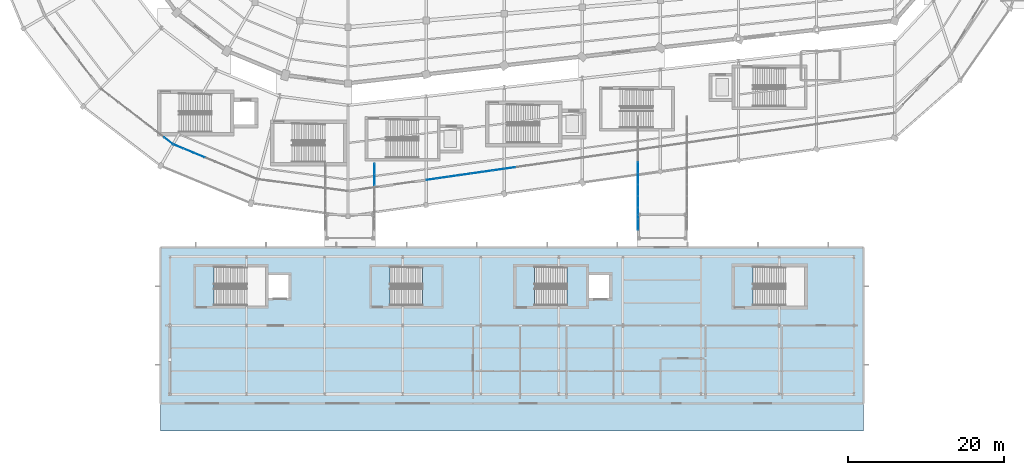
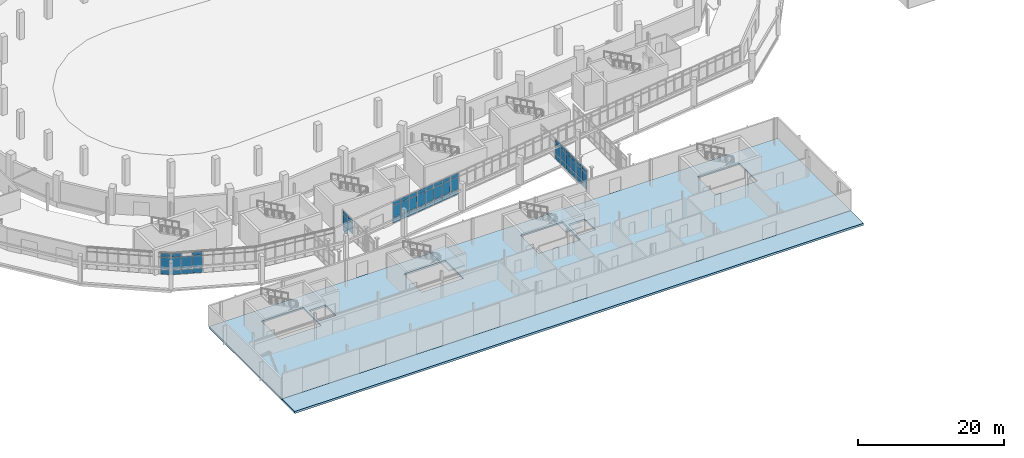
# One storey, part 81 of 122: 58 plates, 4 slabs, 8 elements without a shape of their own.
"""IFC4 building model written with IfcOpenShell, lengths in metres."""

from ifc_helpers import new_model, si_unit, direction, frame, origin, origin_2d, place, context, subcontext, project, spatial, polyline, rectangle, outline, extrude, material, layer, layer_set, type_object, element, aggregate, save


model = new_model("IFC4")

# Units and contexts
model_context = context("Model", 3, precision=1e-05, world=origin(), true_north=direction((0.0, 1.0)))
body_context = subcontext(model_context, "Body", "Model", "MODEL_VIEW")
ifc_project = project(units=[si_unit("LENGTHUNIT", "METRE"), si_unit("AREAUNIT", "SQUARE_METRE"), si_unit("VOLUMEUNIT", "CUBIC_METRE"), si_unit("PLANEANGLEUNIT", "RADIAN"), si_unit("MASSUNIT", "GRAM", prefix="KILO")], contexts=[model_context])

# Site, building, storey
site_placement = place(None, origin())
site = spatial("IfcSite", under=ifc_project, at=site_placement, CompositionType="ELEMENT")
building_placement = place(site_placement, origin())
building = spatial("IfcBuilding", under=site, at=building_placement, Name="Sohan Crest Arena", CompositionType="ELEMENT")
storey_placement = place(building_placement, origin())
storey = spatial("IfcBuildingStorey", under=building, at=storey_placement, Name="L00", CompositionType="ELEMENT", Elevation=0.0)

# Curtain wall, plates
ifc_material_1 = material(Name="Thermally broken anodised aluminium", Category="aluminium")
ifc_layer_1 = layer(ifc_material_1, 0.179931640625, Name="Thermally broken anodised aluminium")
ifc_layer_set_1 = layer_set([ifc_layer_1], Name="Thermally broken anodised aluminium")
curtain_wall_type_1 = type_object("IfcCurtainWallType", Name="ARC-CW01", PredefinedType="NOTDEFINED", material=ifc_layer_set_1)
curtain_wall_1_placement = place(storey_placement, origin())
curtain_wall_1 = element("IfcCurtainWall", 1, at=curtain_wall_1_placement, inside=storey, type_object=curtain_wall_type_1, Name="Unitised curtain wall CW-005", PredefinedType="NOTDEFINED")
ifc_material_2 = material(Name="Low-E double-glazed insulated glass", Category="glass")
ifc_layer_2 = layer(ifc_material_2, 0.028076171875, Name="Low-E double-glazed insulated glass")
ifc_layer_set_2 = layer_set([ifc_layer_2], Name="Low-E double-glazed insulated glass")
plate_type = type_object("IfcPlateType", Name="ARC-CNP01", PredefinedType="CURTAIN_PANEL", material=ifc_layer_set_2)
plate_1_placement = place(storey_placement, frame((75.00830078125, 39.65625, 0.06005859375), z_axis=(0.0, 0.0, 1.0), x_axis=(0.79332277167, -0.608801264741, 0.0)))
plate_1 = element("IfcPlate", 2, at=plate_1_placement, type_object=plate_type, Name="CW-005 panel 8.1", PredefinedType="CURTAIN_PANEL", context=body_context, shape_type="SweptSolid", body=[
    extrude(rectangle(XDim=1.371826171875, YDim=0.028076171875, at=origin_2d()), origin(), (0.0, 0.0, 1.0), 0.81005859375),
])
plate_2_placement = place(storey_placement, frame((75.00830078125, 39.65625, 0.929931640625), z_axis=(0.0, 0.0, 1.0), x_axis=(0.79332277167, -0.608801264741, 0.0)))
plate_2 = element("IfcPlate", 3, at=plate_2_placement, type_object=plate_type, Name="CW-005 panel 8.2", PredefinedType="CURTAIN_PANEL", context=body_context, shape_type="SweptSolid", body=[
    extrude(rectangle(XDim=1.371826171875, YDim=0.028076171875, at=origin_2d()), origin(), (0.0, 0.0, 1.0), 2.02001953125),
])
plate_3_placement = place(storey_placement, frame((75.00830078125, 39.65625, 3.009765625), z_axis=(0.0, 0.0, 1.0), x_axis=(0.79332277167, -0.608801264741, 0.0)))
plate_3 = element("IfcPlate", 4, at=plate_3_placement, type_object=plate_type, Name="CW-005 panel 8.3", PredefinedType="CURTAIN_PANEL", context=body_context, shape_type="SweptSolid", body=[
    extrude(rectangle(XDim=1.371826171875, YDim=0.028076171875, at=origin_2d()), origin(), (0.0, 0.0, 1.0), 0.610107421875),
])
aggregate(curtain_wall_1, [plate_1, plate_2, plate_3])

curtain_wall_2_placement = place(storey_placement, origin())
curtain_wall_2 = element("IfcCurtainWall", 5, at=curtain_wall_2_placement, inside=storey, type_object=curtain_wall_type_1, Name="Unitised curtain wall CW-006", PredefinedType="NOTDEFINED")
plate_4_placement = place(storey_placement, frame((76.2890625, 38.91650390625, 0.06005859375), z_axis=(0.0, 0.0, 1.0), x_axis=(0.923896991255, -0.38264128051, 0.0)))
plate_4 = element("IfcPlate", 6, at=plate_4_placement, type_object=plate_type, Name="CW-006 panel 1.1", PredefinedType="CURTAIN_PANEL", context=body_context, shape_type="SweptSolid", body=[
    extrude(rectangle(XDim=1.371826171875, YDim=0.028076171875, at=origin_2d()), origin(), (0.0, 0.0, 1.0), 0.81005859375),
])
plate_5_placement = place(storey_placement, frame((76.2890625, 38.91650390625, 0.929931640625), z_axis=(0.0, 0.0, 1.0), x_axis=(0.923896991255, -0.38264128051, 0.0)))
plate_5 = element("IfcPlate", 7, at=plate_5_placement, type_object=plate_type, Name="CW-006 panel 1.2", PredefinedType="CURTAIN_PANEL", context=body_context, shape_type="SweptSolid", body=[
    extrude(rectangle(XDim=1.371826171875, YDim=0.028076171875, at=origin_2d()), origin(), (0.0, 0.0, 1.0), 2.02001953125),
])
plate_6_placement = place(storey_placement, frame((76.2890625, 38.91650390625, 3.009765625), z_axis=(0.0, 0.0, 1.0), x_axis=(0.923896991255, -0.38264128051, 0.0)))
plate_6 = element("IfcPlate", 8, at=plate_6_placement, type_object=plate_type, Name="CW-006 panel 1.3", PredefinedType="CURTAIN_PANEL", context=body_context, shape_type="SweptSolid", body=[
    extrude(rectangle(XDim=1.371826171875, YDim=0.028076171875, at=origin_2d()), origin(), (0.0, 0.0, 1.0), 0.610107421875),
])
plate_7_placement = place(storey_placement, frame((77.6259765625, 38.363037109375, 0.06005859375), z_axis=(0.0, 0.0, 1.0), x_axis=(0.923896991255, -0.38264128051, 0.0)))
plate_7 = element("IfcPlate", 9, at=plate_7_placement, type_object=plate_type, Name="CW-006 panel 2.1", PredefinedType="CURTAIN_PANEL", context=body_context, shape_type="SweptSolid", body=[
    extrude(rectangle(XDim=1.40185546875, YDim=0.028076171875, at=origin_2d()), origin(), (0.0, 0.0, 1.0), 0.81005859375),
])
plate_8_placement = place(storey_placement, frame((77.6259765625, 38.363037109375, 0.929931640625), z_axis=(0.0, 0.0, 1.0), x_axis=(0.923896991255, -0.38264128051, 0.0)))
plate_8 = element("IfcPlate", 10, at=plate_8_placement, type_object=plate_type, Name="CW-006 panel 2.2", PredefinedType="CURTAIN_PANEL", context=body_context, shape_type="SweptSolid", body=[
    extrude(rectangle(XDim=1.40185546875, YDim=0.028076171875, at=origin_2d()), origin(), (0.0, 0.0, 1.0), 2.02001953125),
])
plate_9_placement = place(storey_placement, frame((78.9765625, 37.803466796875, 0.06005859375), z_axis=(0.0, 0.0, 1.0), x_axis=(0.923896991255, -0.38264128051, 0.0)))
plate_9 = element("IfcPlate", 11, at=plate_9_placement, type_object=plate_type, Name="CW-006 panel 3.1", PredefinedType="CURTAIN_PANEL", context=body_context, shape_type="SweptSolid", body=[
    extrude(rectangle(XDim=1.40185546875, YDim=0.028076171875, at=origin_2d()), origin(), (0.0, 0.0, 1.0), 0.81005859375),
])
plate_10_placement = place(storey_placement, frame((78.9765625, 37.803466796875, 0.929931640625), z_axis=(0.0, 0.0, 1.0), x_axis=(0.923896991255, -0.38264128051, 0.0)))
plate_10 = element("IfcPlate", 12, at=plate_10_placement, type_object=plate_type, Name="CW-006 panel 3.2", PredefinedType="CURTAIN_PANEL", context=body_context, shape_type="SweptSolid", body=[
    extrude(rectangle(XDim=1.40185546875, YDim=0.028076171875, at=origin_2d()), origin(), (0.0, 0.0, 1.0), 2.02001953125),
])
plate_11_placement = place(storey_placement, frame((78.9765625, 37.803466796875, 3.009765625), z_axis=(0.0, 0.0, 1.0), x_axis=(0.923896991255, -0.38264128051, 0.0)))
plate_11 = element("IfcPlate", 13, at=plate_11_placement, type_object=plate_type, Name="CW-006 panel 3.3", PredefinedType="CURTAIN_PANEL", context=body_context, shape_type="SweptSolid", body=[
    extrude(rectangle(XDim=1.40185546875, YDim=0.028076171875, at=origin_2d()), origin(), (0.0, 0.0, 1.0), 0.610107421875),
])
aggregate(curtain_wall_2, [plate_4, plate_5, plate_6, plate_7, plate_8, plate_9, plate_10, plate_11])

curtain_wall_3_placement = place(storey_placement, origin())
curtain_wall_3 = element("IfcCurtainWall", 14, at=curtain_wall_3_placement, inside=storey, type_object=curtain_wall_type_1, Name="Unitised curtain wall CW-008", PredefinedType="NOTDEFINED")
plate_12_placement = place(storey_placement, frame((108.729248046875, 34.733154296875, 0.06005859375), z_axis=(0.0, 0.0, 1.0), x_axis=(0.989957411768, 0.141365918403, 0.0)))
plate_12 = element("IfcPlate", 15, at=plate_12_placement, type_object=plate_type, Name="CW-008 panel 1.1", PredefinedType="CURTAIN_PANEL", context=body_context, shape_type="SweptSolid", body=[
    extrude(rectangle(XDim=1.35302734375, YDim=0.028076171875, at=origin_2d()), origin(), (0.0, 0.0, 1.0), 0.81005859375),
])
plate_13_placement = place(storey_placement, frame((108.729248046875, 34.733154296875, 0.929931640625), z_axis=(0.0, 0.0, 1.0), x_axis=(0.989957411768, 0.141365918403, 0.0)))
plate_13 = element("IfcPlate", 16, at=plate_13_placement, type_object=plate_type, Name="CW-008 panel 1.2", PredefinedType="CURTAIN_PANEL", context=body_context, shape_type="SweptSolid", body=[
    extrude(rectangle(XDim=1.35302734375, YDim=0.028076171875, at=origin_2d()), origin(), (0.0, 0.0, 1.0), 2.02001953125),
])
plate_14_placement = place(storey_placement, frame((108.729248046875, 34.733154296875, 3.009765625), z_axis=(0.0, 0.0, 1.0), x_axis=(0.989957411768, 0.141365918403, 0.0)))
plate_14 = element("IfcPlate", 17, at=plate_14_placement, type_object=plate_type, Name="CW-008 panel 1.3", PredefinedType="CURTAIN_PANEL", context=body_context, shape_type="SweptSolid", body=[
    extrude(rectangle(XDim=1.35302734375, YDim=0.028076171875, at=origin_2d()), origin(), (0.0, 0.0, 1.0), 0.610107421875),
])
plate_15_placement = place(storey_placement, frame((110.142822265625, 34.93505859375, 0.06005859375), z_axis=(0.0, 0.0, 1.0), x_axis=(0.989957411768, 0.141365918403, 0.0)))
plate_15 = element("IfcPlate", 18, at=plate_15_placement, type_object=plate_type, Name="CW-008 panel 2.1", PredefinedType="CURTAIN_PANEL", context=body_context, shape_type="SweptSolid", body=[
    extrude(rectangle(XDim=1.383056640625, YDim=0.028076171875, at=origin_2d()), origin(), (0.0, 0.0, 1.0), 0.81005859375),
])
plate_16_placement = place(storey_placement, frame((110.142822265625, 34.93505859375, 0.929931640625), z_axis=(0.0, 0.0, 1.0), x_axis=(0.989957411768, 0.141365918403, 0.0)))
plate_16 = element("IfcPlate", 19, at=plate_16_placement, type_object=plate_type, Name="CW-008 panel 2.2", PredefinedType="CURTAIN_PANEL", context=body_context, shape_type="SweptSolid", body=[
    extrude(rectangle(XDim=1.383056640625, YDim=0.028076171875, at=origin_2d()), origin(), (0.0, 0.0, 1.0), 2.02001953125),
])
plate_17_placement = place(storey_placement, frame((110.142822265625, 34.93505859375, 3.009765625), z_axis=(0.0, 0.0, 1.0), x_axis=(0.989957411768, 0.141365918403, 0.0)))
plate_17 = element("IfcPlate", 20, at=plate_17_placement, type_object=plate_type, Name="CW-008 panel 2.3", PredefinedType="CURTAIN_PANEL", context=body_context, shape_type="SweptSolid", body=[
    extrude(rectangle(XDim=1.383056640625, YDim=0.028076171875, at=origin_2d()), origin(), (0.0, 0.0, 1.0), 0.610107421875),
])
plate_18_placement = place(storey_placement, frame((111.571533203125, 35.138916015625, 0.06005859375), z_axis=(0.0, 0.0, 1.0), x_axis=(0.989957411768, 0.141365918403, 0.0)))
plate_18 = element("IfcPlate", 21, at=plate_18_placement, type_object=plate_type, Name="CW-008 panel 3.1", PredefinedType="CURTAIN_PANEL", context=body_context, shape_type="SweptSolid", body=[
    extrude(rectangle(XDim=1.383056640625, YDim=0.028076171875, at=origin_2d()), origin(), (0.0, 0.0, 1.0), 0.81005859375),
])
plate_19_placement = place(storey_placement, frame((111.571533203125, 35.138916015625, 0.929931640625), z_axis=(0.0, 0.0, 1.0), x_axis=(0.989957411768, 0.141365918403, 0.0)))
plate_19 = element("IfcPlate", 22, at=plate_19_placement, type_object=plate_type, Name="CW-008 panel 3.2", PredefinedType="CURTAIN_PANEL", context=body_context, shape_type="SweptSolid", body=[
    extrude(rectangle(XDim=1.383056640625, YDim=0.028076171875, at=origin_2d()), origin(), (0.0, 0.0, 1.0), 2.02001953125),
])
plate_20_placement = place(storey_placement, frame((111.571533203125, 35.138916015625, 3.009765625), z_axis=(0.0, 0.0, 1.0), x_axis=(0.989957411768, 0.141365918403, 0.0)))
plate_20 = element("IfcPlate", 23, at=plate_20_placement, type_object=plate_type, Name="CW-008 panel 3.3", PredefinedType="CURTAIN_PANEL", context=body_context, shape_type="SweptSolid", body=[
    extrude(rectangle(XDim=1.383056640625, YDim=0.028076171875, at=origin_2d()), origin(), (0.0, 0.0, 1.0), 0.610107421875),
])
plate_21_placement = place(storey_placement, frame((113.0, 35.343017578125, 0.06005859375), z_axis=(0.0, 0.0, 1.0), x_axis=(0.989957411768, 0.141365918403, 0.0)))
plate_21 = element("IfcPlate", 24, at=plate_21_placement, type_object=plate_type, Name="CW-008 panel 4.1", PredefinedType="CURTAIN_PANEL", context=body_context, shape_type="SweptSolid", body=[
    extrude(rectangle(XDim=1.383056640625, YDim=0.028076171875, at=origin_2d()), origin(), (0.0, 0.0, 1.0), 0.81005859375),
])
plate_22_placement = place(storey_placement, frame((113.0, 35.343017578125, 0.929931640625), z_axis=(0.0, 0.0, 1.0), x_axis=(0.989957411768, 0.141365918403, 0.0)))
plate_22 = element("IfcPlate", 25, at=plate_22_placement, type_object=plate_type, Name="CW-008 panel 4.2", PredefinedType="CURTAIN_PANEL", context=body_context, shape_type="SweptSolid", body=[
    extrude(rectangle(XDim=1.383056640625, YDim=0.028076171875, at=origin_2d()), origin(), (0.0, 0.0, 1.0), 2.02001953125),
])
plate_23_placement = place(storey_placement, frame((113.0, 35.343017578125, 3.009765625), z_axis=(0.0, 0.0, 1.0), x_axis=(0.989957411768, 0.141365918403, 0.0)))
plate_23 = element("IfcPlate", 26, at=plate_23_placement, type_object=plate_type, Name="CW-008 panel 4.3", PredefinedType="CURTAIN_PANEL", context=body_context, shape_type="SweptSolid", body=[
    extrude(rectangle(XDim=1.383056640625, YDim=0.028076171875, at=origin_2d()), origin(), (0.0, 0.0, 1.0), 0.610107421875),
])
plate_24_placement = place(storey_placement, frame((114.428466796875, 35.547119140625, 0.06005859375), z_axis=(0.0, 0.0, 1.0), x_axis=(0.989957411768, 0.141365918403, 0.0)))
plate_24 = element("IfcPlate", 27, at=plate_24_placement, type_object=plate_type, Name="CW-008 panel 5.1", PredefinedType="CURTAIN_PANEL", context=body_context, shape_type="SweptSolid", body=[
    extrude(rectangle(XDim=1.383056640625, YDim=0.028076171875, at=origin_2d()), origin(), (0.0, 0.0, 1.0), 0.81005859375),
])
plate_25_placement = place(storey_placement, frame((114.428466796875, 35.547119140625, 0.929931640625), z_axis=(0.0, 0.0, 1.0), x_axis=(0.989957411768, 0.141365918403, 0.0)))
plate_25 = element("IfcPlate", 28, at=plate_25_placement, type_object=plate_type, Name="CW-008 panel 5.2", PredefinedType="CURTAIN_PANEL", context=body_context, shape_type="SweptSolid", body=[
    extrude(rectangle(XDim=1.383056640625, YDim=0.028076171875, at=origin_2d()), origin(), (0.0, 0.0, 1.0), 2.02001953125),
])
plate_26_placement = place(storey_placement, frame((114.428466796875, 35.547119140625, 3.009765625), z_axis=(0.0, 0.0, 1.0), x_axis=(0.989957411768, 0.141365918403, 0.0)))
plate_26 = element("IfcPlate", 29, at=plate_26_placement, type_object=plate_type, Name="CW-008 panel 5.3", PredefinedType="CURTAIN_PANEL", context=body_context, shape_type="SweptSolid", body=[
    extrude(rectangle(XDim=1.383056640625, YDim=0.028076171875, at=origin_2d()), origin(), (0.0, 0.0, 1.0), 0.610107421875),
])
plate_27_placement = place(storey_placement, frame((115.857177734375, 35.7509765625, 0.06005859375), z_axis=(0.0, 0.0, 1.0), x_axis=(0.989957411768, 0.141365918403, 0.0)))
plate_27 = element("IfcPlate", 30, at=plate_27_placement, type_object=plate_type, Name="CW-008 panel 6.1", PredefinedType="CURTAIN_PANEL", context=body_context, shape_type="SweptSolid", body=[
    extrude(rectangle(XDim=1.383056640625, YDim=0.028076171875, at=origin_2d()), origin(), (0.0, 0.0, 1.0), 0.81005859375),
])
plate_28_placement = place(storey_placement, frame((115.857177734375, 35.7509765625, 0.929931640625), z_axis=(0.0, 0.0, 1.0), x_axis=(0.989957411768, 0.141365918403, 0.0)))
plate_28 = element("IfcPlate", 31, at=plate_28_placement, type_object=plate_type, Name="CW-008 panel 6.2", PredefinedType="CURTAIN_PANEL", context=body_context, shape_type="SweptSolid", body=[
    extrude(rectangle(XDim=1.383056640625, YDim=0.028076171875, at=origin_2d()), origin(), (0.0, 0.0, 1.0), 2.02001953125),
])
plate_29_placement = place(storey_placement, frame((115.857177734375, 35.7509765625, 3.009765625), z_axis=(0.0, 0.0, 1.0), x_axis=(0.989957411768, 0.141365918403, 0.0)))
plate_29 = element("IfcPlate", 32, at=plate_29_placement, type_object=plate_type, Name="CW-008 panel 6.3", PredefinedType="CURTAIN_PANEL", context=body_context, shape_type="SweptSolid", body=[
    extrude(rectangle(XDim=1.383056640625, YDim=0.028076171875, at=origin_2d()), origin(), (0.0, 0.0, 1.0), 0.610107421875),
])
plate_30_placement = place(storey_placement, frame((117.270751953125, 35.952880859375, 0.06005859375), z_axis=(0.0, 0.0, 1.0), x_axis=(0.989957411768, 0.141365918403, 0.0)))
plate_30 = element("IfcPlate", 33, at=plate_30_placement, type_object=plate_type, Name="CW-008 panel 7.1", PredefinedType="CURTAIN_PANEL", context=body_context, shape_type="SweptSolid", body=[
    extrude(rectangle(XDim=1.35302734375, YDim=0.028076171875, at=origin_2d()), origin(), (0.0, 0.0, 1.0), 0.81005859375),
])
plate_31_placement = place(storey_placement, frame((117.270751953125, 35.952880859375, 0.929931640625), z_axis=(0.0, 0.0, 1.0), x_axis=(0.989957411768, 0.141365918403, 0.0)))
plate_31 = element("IfcPlate", 34, at=plate_31_placement, type_object=plate_type, Name="CW-008 panel 7.2", PredefinedType="CURTAIN_PANEL", context=body_context, shape_type="SweptSolid", body=[
    extrude(rectangle(XDim=1.35302734375, YDim=0.028076171875, at=origin_2d()), origin(), (0.0, 0.0, 1.0), 2.02001953125),
])
plate_32_placement = place(storey_placement, frame((117.270751953125, 35.952880859375, 3.009765625), z_axis=(0.0, 0.0, 1.0), x_axis=(0.989957411768, 0.141365918403, 0.0)))
plate_32 = element("IfcPlate", 35, at=plate_32_placement, type_object=plate_type, Name="CW-008 panel 7.3", PredefinedType="CURTAIN_PANEL", context=body_context, shape_type="SweptSolid", body=[
    extrude(rectangle(XDim=1.35302734375, YDim=0.028076171875, at=origin_2d()), origin(), (0.0, 0.0, 1.0), 0.610107421875),
])
aggregate(curtain_wall_3, [plate_12, plate_13, plate_14, plate_15, plate_16, plate_17, plate_18, plate_19, plate_20, plate_21, plate_22, plate_23, plate_24, plate_25, plate_26, plate_27, plate_28, plate_29, plate_30, plate_31, plate_32])

curtain_wall_4_placement = place(storey_placement, origin())
curtain_wall_4 = element("IfcCurtainWall", 36, at=curtain_wall_4_placement, inside=storey, type_object=curtain_wall_type_1, Name="Unitised curtain wall CW-009", PredefinedType="NOTDEFINED")
plate_33_placement = place(storey_placement, frame((118.729248046875, 36.1611328125, 0.06005859375), z_axis=(0.0, 0.0, 1.0), x_axis=(0.989943553128, 0.141462933734, 0.0)))
plate_33 = element("IfcPlate", 37, at=plate_33_placement, type_object=plate_type, Name="CW-009 panel 1.1", PredefinedType="CURTAIN_PANEL", context=body_context, shape_type="SweptSolid", body=[
    extrude(rectangle(XDim=1.35302734375, YDim=0.028076171875, at=origin_2d()), origin(), (0.0, 0.0, 1.0), 0.81005859375),
])
plate_34_placement = place(storey_placement, frame((118.729248046875, 36.1611328125, 0.929931640625), z_axis=(0.0, 0.0, 1.0), x_axis=(0.989943553128, 0.141462933734, 0.0)))
plate_34 = element("IfcPlate", 38, at=plate_34_placement, type_object=plate_type, Name="CW-009 panel 1.2", PredefinedType="CURTAIN_PANEL", context=body_context, shape_type="SweptSolid", body=[
    extrude(rectangle(XDim=1.35302734375, YDim=0.028076171875, at=origin_2d()), origin(), (0.0, 0.0, 1.0), 2.02001953125),
])
plate_35_placement = place(storey_placement, frame((118.729248046875, 36.1611328125, 3.009765625), z_axis=(0.0, 0.0, 1.0), x_axis=(0.989943553128, 0.141462933734, 0.0)))
plate_35 = element("IfcPlate", 39, at=plate_35_placement, type_object=plate_type, Name="CW-009 panel 1.3", PredefinedType="CURTAIN_PANEL", context=body_context, shape_type="SweptSolid", body=[
    extrude(rectangle(XDim=1.35302734375, YDim=0.028076171875, at=origin_2d()), origin(), (0.0, 0.0, 1.0), 0.610107421875),
])
aggregate(curtain_wall_4, [plate_33, plate_34, plate_35])

ifc_layer_3 = layer(ifc_material_1, 0.18994140625, Name="Thermally broken anodised aluminium")
ifc_layer_set_3 = layer_set([ifc_layer_3], Name="Thermally broken anodised aluminium")
curtain_wall_type_2 = type_object("IfcCurtainWallType", Name="ARC-CW05", PredefinedType="NOTDEFINED", material=ifc_layer_set_3)
curtain_wall_5_placement = place(storey_placement, origin())
curtain_wall_5 = element("IfcCurtainWall", 40, at=curtain_wall_5_placement, inside=storey, type_object=curtain_wall_type_2, Name="Unitised curtain wall CW-248", PredefinedType="NOTDEFINED")
plate_36_placement = place(storey_placement, frame((101.3798828125, 34.64990234375, 0.93017578125), z_axis=(0.0, 0.0, 1.0), x_axis=(0.0, 1.0, 0.0)))
plate_36 = element("IfcPlate", 41, at=plate_36_placement, type_object=plate_type, Name="CW-248 panel 5.2", PredefinedType="CURTAIN_PANEL", context=body_context, shape_type="SweptSolid", body=[
    extrude(rectangle(XDim=1.368408203125, YDim=0.028076171875, at=origin_2d()), origin(), (0.0, 0.0, 1.0), 1.739990234375),
])
plate_37_placement = place(storey_placement, frame((101.3798828125, 34.64990234375, 2.72998046875), z_axis=(0.0, 0.0, 1.0), x_axis=(0.0, 1.0, 0.0)))
plate_37 = element("IfcPlate", 42, at=plate_37_placement, type_object=plate_type, Name="CW-248 panel 5.3", PredefinedType="CURTAIN_PANEL", context=body_context, shape_type="SweptSolid", body=[
    extrude(rectangle(XDim=1.368408203125, YDim=0.028076171875, at=origin_2d()), origin(), (0.0, 0.0, 1.0), 0.610107421875),
])
plate_38_placement = place(storey_placement, frame((101.3798828125, 36.067138671875, 0.06005859375), z_axis=(0.0, 0.0, 1.0), x_axis=(0.0, 1.0, 0.0)))
plate_38 = element("IfcPlate", 43, at=plate_38_placement, type_object=plate_type, Name="CW-248 panel 6.1", PredefinedType="CURTAIN_PANEL", context=body_context, shape_type="SweptSolid", body=[
    extrude(rectangle(XDim=1.3359375, YDim=0.028076171875, at=origin_2d()), origin(), (0.0, 0.0, 1.0), 0.81005859375),
])
plate_39_placement = place(storey_placement, frame((101.3798828125, 36.067138671875, 0.93017578125), z_axis=(0.0, 0.0, 1.0), x_axis=(0.0, 1.0, 0.0)))
plate_39 = element("IfcPlate", 44, at=plate_39_placement, type_object=plate_type, Name="CW-248 panel 6.2", PredefinedType="CURTAIN_PANEL", context=body_context, shape_type="SweptSolid", body=[
    extrude(rectangle(XDim=1.3359375, YDim=0.028076171875, at=origin_2d()), origin(), (0.0, 0.0, 1.0), 1.739990234375),
])
plate_40_placement = place(storey_placement, frame((101.3798828125, 36.067138671875, 2.72998046875), z_axis=(0.0, 0.0, 1.0), x_axis=(0.0, 1.0, 0.0)))
plate_40 = element("IfcPlate", 45, at=plate_40_placement, type_object=plate_type, Name="CW-248 panel 6.3", PredefinedType="CURTAIN_PANEL", context=body_context, shape_type="SweptSolid", body=[
    extrude(rectangle(XDim=1.3359375, YDim=0.028076171875, at=origin_2d()), origin(), (0.0, 0.0, 1.0), 0.610107421875),
])
aggregate(curtain_wall_5, [plate_36, plate_37, plate_38, plate_39, plate_40])

curtain_wall_6_placement = place(storey_placement, origin())
curtain_wall_6 = element("IfcCurtainWall", 46, at=curtain_wall_6_placement, inside=storey, type_object=curtain_wall_type_2, Name="Unitised curtain wall CW-253", PredefinedType="NOTDEFINED")
plate_41_placement = place(storey_placement, frame((135.1201171875, 28.9462890625, 0.06005859375), z_axis=(0.0, 0.0, 1.0), x_axis=(0.0, 1.0, 0.0)))
plate_41 = element("IfcPlate", 47, at=plate_41_placement, type_object=plate_type, Name="CW-253 panel 1.1", PredefinedType="CURTAIN_PANEL", context=body_context, shape_type="SweptSolid", body=[
    extrude(rectangle(XDim=1.362548828125, YDim=0.028076171875, at=origin_2d()), origin(), (0.0, 0.0, 1.0), 0.81005859375),
])
plate_42_placement = place(storey_placement, frame((135.1201171875, 28.9462890625, 0.93017578125), z_axis=(0.0, 0.0, 1.0), x_axis=(0.0, 1.0, 0.0)))
plate_42 = element("IfcPlate", 48, at=plate_42_placement, type_object=plate_type, Name="CW-253 panel 1.2", PredefinedType="CURTAIN_PANEL", context=body_context, shape_type="SweptSolid", body=[
    extrude(rectangle(XDim=1.362548828125, YDim=0.028076171875, at=origin_2d()), origin(), (0.0, 0.0, 1.0), 1.739990234375),
])
plate_43_placement = place(storey_placement, frame((135.1201171875, 28.9462890625, 2.72998046875), z_axis=(0.0, 0.0, 1.0), x_axis=(0.0, 1.0, 0.0)))
plate_43 = element("IfcPlate", 49, at=plate_43_placement, type_object=plate_type, Name="CW-253 panel 1.3", PredefinedType="CURTAIN_PANEL", context=body_context, shape_type="SweptSolid", body=[
    extrude(rectangle(XDim=1.362548828125, YDim=0.028076171875, at=origin_2d()), origin(), (0.0, 0.0, 1.0), 0.610107421875),
])
plate_44_placement = place(storey_placement, frame((135.1201171875, 30.389892578125, 0.06005859375), z_axis=(0.0, 0.0, 1.0), x_axis=(0.0, 1.0, 0.0)))
plate_44 = element("IfcPlate", 50, at=plate_44_placement, type_object=plate_type, Name="CW-253 panel 2.1", PredefinedType="CURTAIN_PANEL", context=body_context, shape_type="SweptSolid", body=[
    extrude(rectangle(XDim=1.39501953125, YDim=0.028076171875, at=origin_2d()), origin(), (0.0, 0.0, 1.0), 0.81005859375),
])
plate_45_placement = place(storey_placement, frame((135.1201171875, 30.389892578125, 0.93017578125), z_axis=(0.0, 0.0, 1.0), x_axis=(0.0, 1.0, 0.0)))
plate_45 = element("IfcPlate", 51, at=plate_45_placement, type_object=plate_type, Name="CW-253 panel 2.2", PredefinedType="CURTAIN_PANEL", context=body_context, shape_type="SweptSolid", body=[
    extrude(rectangle(XDim=1.39501953125, YDim=0.028076171875, at=origin_2d()), origin(), (0.0, 0.0, 1.0), 1.739990234375),
])
plate_46_placement = place(storey_placement, frame((135.1201171875, 30.389892578125, 2.72998046875), z_axis=(0.0, 0.0, 1.0), x_axis=(0.0, 1.0, 0.0)))
plate_46 = element("IfcPlate", 52, at=plate_46_placement, type_object=plate_type, Name="CW-253 panel 2.3", PredefinedType="CURTAIN_PANEL", context=body_context, shape_type="SweptSolid", body=[
    extrude(rectangle(XDim=1.39501953125, YDim=0.028076171875, at=origin_2d()), origin(), (0.0, 0.0, 1.0), 0.610107421875),
])
plate_47_placement = place(storey_placement, frame((135.1201171875, 31.85009765625, 0.06005859375), z_axis=(0.0, 0.0, 1.0), x_axis=(0.0, 1.0, 0.0)))
plate_47 = element("IfcPlate", 53, at=plate_47_placement, type_object=plate_type, Name="CW-253 panel 3.1", PredefinedType="CURTAIN_PANEL", context=body_context, shape_type="SweptSolid", body=[
    extrude(rectangle(XDim=1.39501953125, YDim=0.028076171875, at=origin_2d()), origin(), (0.0, 0.0, 1.0), 0.81005859375),
])
plate_48_placement = place(storey_placement, frame((135.1201171875, 31.85009765625, 0.93017578125), z_axis=(0.0, 0.0, 1.0), x_axis=(0.0, 1.0, 0.0)))
plate_48 = element("IfcPlate", 54, at=plate_48_placement, type_object=plate_type, Name="CW-253 panel 3.2", PredefinedType="CURTAIN_PANEL", context=body_context, shape_type="SweptSolid", body=[
    extrude(rectangle(XDim=1.39501953125, YDim=0.028076171875, at=origin_2d()), origin(), (0.0, 0.0, 1.0), 1.739990234375),
])
plate_49_placement = place(storey_placement, frame((135.1201171875, 31.85009765625, 2.72998046875), z_axis=(0.0, 0.0, 1.0), x_axis=(0.0, 1.0, 0.0)))
plate_49 = element("IfcPlate", 55, at=plate_49_placement, type_object=plate_type, Name="CW-253 panel 3.3", PredefinedType="CURTAIN_PANEL", context=body_context, shape_type="SweptSolid", body=[
    extrude(rectangle(XDim=1.39501953125, YDim=0.028076171875, at=origin_2d()), origin(), (0.0, 0.0, 1.0), 0.610107421875),
])
plate_50_placement = place(storey_placement, frame((135.1201171875, 33.31005859375, 0.06005859375), z_axis=(0.0, 0.0, 1.0), x_axis=(0.0, 1.0, 0.0)))
plate_50 = element("IfcPlate", 56, at=plate_50_placement, type_object=plate_type, Name="CW-253 panel 4.1", PredefinedType="CURTAIN_PANEL", context=body_context, shape_type="SweptSolid", body=[
    extrude(rectangle(XDim=1.39501953125, YDim=0.028076171875, at=origin_2d()), origin(), (0.0, 0.0, 1.0), 0.81005859375),
])
plate_51_placement = place(storey_placement, frame((135.1201171875, 33.31005859375, 0.93017578125), z_axis=(0.0, 0.0, 1.0), x_axis=(0.0, 1.0, 0.0)))
plate_51 = element("IfcPlate", 57, at=plate_51_placement, type_object=plate_type, Name="CW-253 panel 4.2", PredefinedType="CURTAIN_PANEL", context=body_context, shape_type="SweptSolid", body=[
    extrude(rectangle(XDim=1.39501953125, YDim=0.028076171875, at=origin_2d()), origin(), (0.0, 0.0, 1.0), 1.739990234375),
])
plate_52_placement = place(storey_placement, frame((135.1201171875, 33.31005859375, 2.72998046875), z_axis=(0.0, 0.0, 1.0), x_axis=(0.0, 1.0, 0.0)))
plate_52 = element("IfcPlate", 58, at=plate_52_placement, type_object=plate_type, Name="CW-253 panel 4.3", PredefinedType="CURTAIN_PANEL", context=body_context, shape_type="SweptSolid", body=[
    extrude(rectangle(XDim=1.39501953125, YDim=0.028076171875, at=origin_2d()), origin(), (0.0, 0.0, 1.0), 0.610107421875),
])
plate_53_placement = place(storey_placement, frame((135.1201171875, 34.77001953125, 0.06005859375), z_axis=(0.0, 0.0, 1.0), x_axis=(0.0, 1.0, 0.0)))
plate_53 = element("IfcPlate", 59, at=plate_53_placement, type_object=plate_type, Name="CW-253 panel 5.1", PredefinedType="CURTAIN_PANEL", context=body_context, shape_type="SweptSolid", body=[
    extrude(rectangle(XDim=1.39501953125, YDim=0.028076171875, at=origin_2d()), origin(), (0.0, 0.0, 1.0), 0.81005859375),
])
plate_54_placement = place(storey_placement, frame((135.1201171875, 34.77001953125, 0.93017578125), z_axis=(0.0, 0.0, 1.0), x_axis=(0.0, 1.0, 0.0)))
plate_54 = element("IfcPlate", 60, at=plate_54_placement, type_object=plate_type, Name="CW-253 panel 5.2", PredefinedType="CURTAIN_PANEL", context=body_context, shape_type="SweptSolid", body=[
    extrude(rectangle(XDim=1.39501953125, YDim=0.028076171875, at=origin_2d()), origin(), (0.0, 0.0, 1.0), 1.739990234375),
])
plate_55_placement = place(storey_placement, frame((135.1201171875, 34.77001953125, 2.72998046875), z_axis=(0.0, 0.0, 1.0), x_axis=(0.0, 1.0, 0.0)))
plate_55 = element("IfcPlate", 61, at=plate_55_placement, type_object=plate_type, Name="CW-253 panel 5.3", PredefinedType="CURTAIN_PANEL", context=body_context, shape_type="SweptSolid", body=[
    extrude(rectangle(XDim=1.39501953125, YDim=0.028076171875, at=origin_2d()), origin(), (0.0, 0.0, 1.0), 0.610107421875),
])
plate_56_placement = place(storey_placement, frame((135.1201171875, 36.22998046875, 0.06005859375), z_axis=(0.0, 0.0, 1.0), x_axis=(0.0, 1.0, 0.0)))
plate_56 = element("IfcPlate", 62, at=plate_56_placement, type_object=plate_type, Name="CW-253 panel 6.1", PredefinedType="CURTAIN_PANEL", context=body_context, shape_type="SweptSolid", body=[
    extrude(rectangle(XDim=1.39501953125, YDim=0.028076171875, at=origin_2d()), origin(), (0.0, 0.0, 1.0), 0.81005859375),
])
plate_57_placement = place(storey_placement, frame((135.1201171875, 36.22998046875, 0.93017578125), z_axis=(0.0, 0.0, 1.0), x_axis=(0.0, 1.0, 0.0)))
plate_57 = element("IfcPlate", 63, at=plate_57_placement, type_object=plate_type, Name="CW-253 panel 6.2", PredefinedType="CURTAIN_PANEL", context=body_context, shape_type="SweptSolid", body=[
    extrude(rectangle(XDim=1.39501953125, YDim=0.028076171875, at=origin_2d()), origin(), (0.0, 0.0, 1.0), 1.739990234375),
])
plate_58_placement = place(storey_placement, frame((135.1201171875, 36.22998046875, 2.72998046875), z_axis=(0.0, 0.0, 1.0), x_axis=(0.0, 1.0, 0.0)))
plate_58 = element("IfcPlate", 64, at=plate_58_placement, type_object=plate_type, Name="CW-253 panel 6.3", PredefinedType="CURTAIN_PANEL", context=body_context, shape_type="SweptSolid", body=[
    extrude(rectangle(XDim=1.39501953125, YDim=0.028076171875, at=origin_2d()), origin(), (0.0, 0.0, 1.0), 0.610107421875),
])
aggregate(curtain_wall_6, [plate_41, plate_42, plate_43, plate_44, plate_45, plate_46, plate_47, plate_48, plate_49, plate_50, plate_51, plate_52, plate_53, plate_54, plate_55, plate_56, plate_57, plate_58])

# Slab
ifc_material_3 = material(Name="Concrete C40/50", Category="concrete")
ifc_layer_4 = layer(ifc_material_3, 0.300048828125, Name="Concrete C40/50")
ifc_layer_set_4 = layer_set([ifc_layer_4], Name="Concrete C40/50")
slab_type_1 = type_object("IfcSlabType", Name="SL-FLR5", PredefinedType="FLOOR", material=ifc_layer_set_4)
slab_1_placement = place(storey_placement, frame((0.0, 0.0, -0.300048828125)))
element("IfcSlab", 65, at=slab_1_placement, inside=storey, type_object=slab_type_1, Name="BOH and loading dock slab SL-L00-V5", PredefinedType="FLOOR", context=body_context, shape_type="SweptSolid", body=[
    extrude(outline(polyline([(164.0, 26.0), (164.0, 6.0), (74.0, 6.0), (74.0, 26.0), (164.0, 26.0)]), holes=[polyline([(149.8701171875, 23.5), (149.8701171875, 18.5), (156.449951171875, 18.5), (156.449951171875, 23.5), (149.8701171875, 23.5)]), polyline([(109.949951171875, 23.5), (103.3701171875, 23.5), (103.3701171875, 18.5), (109.949951171875, 18.5), (109.949951171875, 23.5)]), polyline([(87.449951171875, 18.5), (87.449951171875, 23.5), (80.8701171875, 23.5), (80.8701171875, 18.5), (87.449951171875, 18.5)]), polyline([(87.800048828125, 19.550048828125), (90.39990234375, 19.550048828125), (90.39990234375, 22.449951171875), (87.800048828125, 22.449951171875), (87.800048828125, 19.550048828125)]), polyline([(121.8701171875, 23.5), (121.8701171875, 18.5), (128.449951171875, 18.5), (128.449951171875, 23.5), (121.8701171875, 23.5)]), polyline([(131.449951171875, 22.449951171875), (128.85009765625, 22.449951171875), (128.85009765625, 19.550048828125), (131.449951171875, 19.550048828125), (131.449951171875, 22.449951171875)])]), origin(), (0.0, 0.0, 1.0), 0.300048828125),
])

# Stair, slab
stair_type = type_object("IfcStairType", Name="ST-450W", PredefinedType="TWO_STRAIGHT_RUN_STAIR", material=ifc_material_3)
stair_1_placement = place(storey_placement, origin())
stair_1 = element("IfcStair", 66, at=stair_1_placement, inside=storey, type_object=stair_type, Name="Protected exit stair ST12-L00", PredefinedType="TWO_STRAIGHT_RUN_STAIR")
ifc_layer_5 = layer(ifc_material_3, 0.199951171875, Name="Concrete C40/50")
ifc_layer_set_5 = layer_set([ifc_layer_5], Name="Concrete C40/50")
slab_type_2 = type_object("IfcSlabType", Name="SL-LND1", PredefinedType="LANDING", material=ifc_layer_set_5)
slab_2_placement = place(storey_placement, frame((0.0, 0.0, 2.050048828125)))
slab_2 = element("IfcSlab", 67, at=slab_2_placement, type_object=slab_type_2, Name="ST12-L00 landing 1", PredefinedType="LANDING", context=body_context, shape_type="SweptSolid", body=[
    extrude(outline(polyline([(107.530029296875, 18.35009765625), (110.10009765625, 18.35009765625), (110.10009765625, 23.64990234375), (107.530029296875, 23.64990234375), (107.530029296875, 18.35009765625)])), origin(), (0.0, 0.0, 1.0), 0.199951171875),
])
aggregate(stair_1, [slab_2])

stair_2_placement = place(storey_placement, origin())
stair_2 = element("IfcStair", 68, at=stair_2_placement, inside=storey, type_object=stair_type, Name="Protected exit stair ST18-L00", PredefinedType="TWO_STRAIGHT_RUN_STAIR")
slab_3_placement = place(storey_placement, frame((0.0, 0.0, 2.050048828125)))
slab_3 = element("IfcSlab", 69, at=slab_3_placement, type_object=slab_type_2, Name="ST18-L00 landing 1", PredefinedType="LANDING", context=body_context, shape_type="SweptSolid", body=[
    extrude(outline(polyline([(126.030029296875, 18.35009765625), (128.60009765625, 18.35009765625), (128.60009765625, 23.64990234375), (126.030029296875, 23.64990234375), (126.030029296875, 18.35009765625)])), origin(), (0.0, 0.0, 1.0), 0.199951171875),
])
aggregate(stair_2, [slab_3])

# Slab
ifc_layer_6 = layer(ifc_material_3, 0.344970703125, Name="Concrete C40/50")
ifc_layer_set_6 = layer_set([ifc_layer_6], Name="Concrete C40/50")
slab_type_3 = type_object("IfcSlabType", Name="SL-TER2", PredefinedType="FLOOR", material=ifc_layer_set_6)
slab_4_placement = place(storey_placement, frame((0.0, 0.0, -0.344970703125)))
element("IfcSlab", 70, at=slab_4_placement, inside=storey, type_object=slab_type_3, Name="South truck dock exterior apron SL-L00-APR", PredefinedType="FLOOR", context=body_context, shape_type="SweptSolid", body=[
    extrude(outline(polyline([(164.0, 2.5), (164.0, 6.0), (74.0, 6.0), (74.0, 2.5), (164.0, 2.5)])), origin(), (0.0, 0.0, 1.0), 0.344970703125),
])

save(model, "model.ifc")
